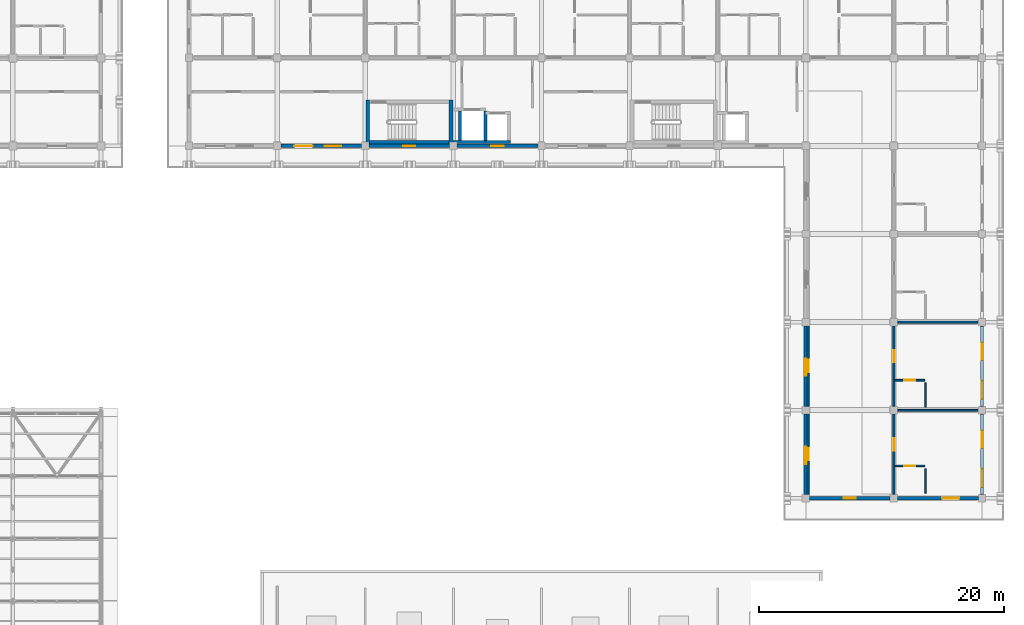
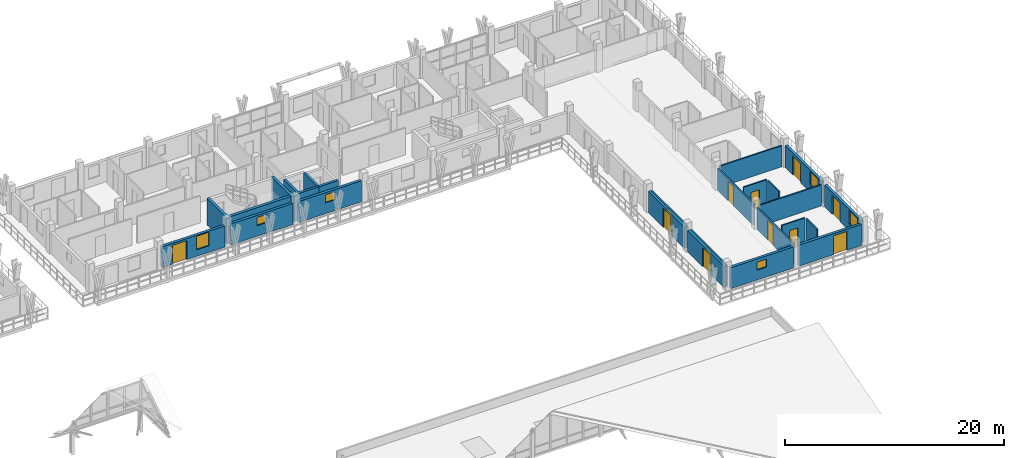
# One storey, part 133 of 157: 26 walls, 12 doors, 6 windows, 18 openings.
"""IFC4 building model written with IfcOpenShell, lengths in metres."""

from ifc_helpers import new_model, si_unit, direction, frame, frame_2d, origin, place, context, subcontext, project, spatial, rectangle, extrude, material, layer, layer_set, type_object, element, fill, save


model = new_model("IFC4")

# Units and contexts
model_context = context("Model", 3, precision=1e-05, world=origin(), true_north=direction((0.0, 1.0)))
body_context = subcontext(model_context, "Body", "Model", "MODEL_VIEW")
ifc_project = project(units=[si_unit("LENGTHUNIT", "METRE"), si_unit("AREAUNIT", "SQUARE_METRE"), si_unit("VOLUMEUNIT", "CUBIC_METRE"), si_unit("PLANEANGLEUNIT", "RADIAN"), si_unit("MASSUNIT", "GRAM", prefix="KILO")], contexts=[model_context])

# Site, building, storey
site_placement = place(None, origin())
site = spatial("IfcSite", under=ifc_project, at=site_placement, CompositionType="ELEMENT")
building_placement = place(site_placement, origin())
building = spatial("IfcBuilding", under=site, at=building_placement, Name="Suanplinth Sawtooth Commons", CompositionType="ELEMENT")
storey_placement = place(building_placement, frame((0.0, 0.0, 9.0)))
storey = spatial("IfcBuildingStorey", under=building, at=storey_placement, Name="L02", CompositionType="ELEMENT", Elevation=9.0)

# Walls
ifc_material_1 = material(Name="Concrete C40/50", Category="concrete")
ifc_layer_1 = layer(ifc_material_1, 0.300048828125, Name="Standard RC stair and lift core wall 300mm")
ifc_layer_set_1 = layer_set([ifc_layer_1], Name="Concrete C40/50")
wall_type_1 = type_object("IfcWallType", Name="W-CR02", PredefinedType="SHEAR", material=ifc_layer_set_1)
wall_1_placement = place(storey_placement, frame((137.14990234375, 108.300048828125, 0.0), z_axis=(0.0, 0.0, 1.0), x_axis=(1.0, 0.0, 0.0)))
element("IfcWall", 1, at=wall_1_placement, inside=storey, type_object=wall_type_1, Name="W-L02-C-B1-STS", PredefinedType="SHEAR", context=body_context, shape_type="SweptSolid", body=[
    extrude(rectangle(XDim=6.5, YDim=0.300048828125, at=frame_2d((3.25, 0.0))), origin(), (0.0, 0.0, 1.0), 2.9599609375),
])
for number, where, z_axis, x_axis, name in (
    (2, (137.0, 108.14990234375, 0.0), (0.0, 0.0, 1.0), (0.0, 1.0, 0.0), "W-L02-C-B1-STW"),
    (3, (143.800048828125, 108.14990234375, 0.0), (0.0, 0.0, 1.0), (0.0, 1.0, 0.0), "W-L02-C-B1-STE"),
):
    element("IfcWall", number, at=place(storey_placement, frame(where, z_axis=z_axis, x_axis=x_axis)), inside=storey, type_object=wall_type_1, Name=name, PredefinedType="SHEAR", context=body_context, shape_type="SweptSolid", body=[
        extrude(rectangle(XDim=3.60009765625, YDim=0.300048828125, at=frame_2d((1.800048828125, 0.0))), origin(), (0.0, 0.0, 1.0), 2.9599609375),
    ])

# Wall, openings, door, window
ifc_material_2 = material(Name="Precast concrete C40/50", Category="concrete")
ifc_layer_2 = layer(ifc_material_2, 0.280029296875, Name="Insulated precast architectural facade wall 280mm")
ifc_layer_set_2 = layer_set([ifc_layer_2], Name="Precast concrete C40/50")
wall_type_2 = type_object("IfcWallType", Name="W-EX01", PredefinedType="ELEMENTEDWALL", material=ifc_layer_set_2)
wall_2_placement = place(storey_placement, frame((129.89990234375, 108.0, 0.0), z_axis=(0.0, 0.0, 1.0), x_axis=(1.0, 0.0, 0.0)))
wall_2 = element("IfcWall", 4, at=wall_2_placement, inside=storey, type_object=wall_type_2, Name="Facade Wall W-L02-B-S-18-15", PredefinedType="ELEMENTEDWALL", context=body_context, shape_type="SweptSolid", body=[
    extrude(rectangle(XDim=6.60009765625, YDim=0.280029296875, at=frame_2d((3.300048828125, 0.0))), origin(), (0.0, 0.0, 1.0), 2.344970703125),
])
opening_1_placement = place(wall_2_placement, frame((1.10009765625, 0.0, 0.0)))
opening_1 = element("IfcOpeningElement", 5, at=opening_1_placement, cuts=wall_2, Name="Opening ED0158", PredefinedType="OPENING", context=body_context, shape_type="SweptSolid", body=[
    extrude(rectangle(XDim=1.5, YDim=2.1201171875, at=frame_2d((0.75, 1.06005859375))), frame((0.0, 0.15478515625, 0.0), z_axis=(0.0, -1.0, 0.0), x_axis=(1.0, 0.0, 0.0)), (0.0, 0.0, 1.0), 0.309814453125),
])
opening_2_placement = place(wall_2_placement, frame((3.60009765625, 0.0, 0.735107421875)))
opening_2 = element("IfcOpeningElement", 6, at=opening_2_placement, cuts=wall_2, Name="Opening W0272", PredefinedType="OPENING", context=body_context, shape_type="SweptSolid", body=[
    extrude(rectangle(XDim=1.35009765625, YDim=1.5, at=frame_2d((0.675048828125, 0.75))), frame((0.0, 0.15478515625, 0.0), z_axis=(0.0, -1.0, 0.0), x_axis=(1.0, 0.0, 0.0)), (0.0, 0.0, 1.0), 0.309814453125),
])
ifc_material_3 = material(Name="Anodized aluminium and low-E glass", Category="aluminium")
door_type_1 = type_object("IfcDoorType", Name="SD-03", OperationType="SLIDING_TO_LEFT", PredefinedType="DOOR", material=ifc_material_3)
door_1_placement = place(opening_1_placement, frame((1.5, 0.0, 0.0), z_axis=(0.0, 0.0, 1.0), x_axis=(-1.0, 0.0, 0.0)))
door_1 = element("IfcDoor", 7, at=door_1_placement, inside=storey, type_object=door_type_1, Name="Courtyard Balcony Door L02-B-18", OperationType="SLIDING_TO_LEFT", OverallHeight=2.1201171875, OverallWidth=1.5, PredefinedType="DOOR", context=body_context, shape_type="SweptSolid", body=[
    extrude(rectangle(XDim=1.5, YDim=2.1201171875, at=frame_2d((0.75, 1.06005859375))), frame((0.0, 0.02490234375, 0.0), z_axis=(0.0, -1.0, 0.0), x_axis=(1.0, 0.0, 0.0)), (0.0, 0.0, 1.0), 0.050048828125),
])
fill(opening_1, door_1)
ifc_material_4 = material(Name="Thermally broken aluminium and low-E double glazing", Category="aluminium")
window_type_1 = type_object("IfcWindowType", Name="WN-14", PartitioningType="SINGLE_PANEL", PredefinedType="WINDOW", material=ifc_material_4)
window_1_placement = place(opening_2_placement, origin())
window_1 = element("IfcWindow", 8, at=window_1_placement, inside=storey, type_object=window_type_1, Name="Courtyard Window L02-B-18", OverallHeight=1.5, OverallWidth=1.35009765625, PartitioningType="SINGLE_PANEL", PredefinedType="WINDOW", context=body_context, shape_type="SweptSolid", body=[
    extrude(rectangle(XDim=1.35009765625, YDim=1.5, at=frame_2d((0.675048828125, 0.75))), frame((0.0, 0.030029296875, 0.0), z_axis=(0.0, -1.0, 0.0), x_axis=(1.0, 0.0, 0.0)), (0.0, 0.0, 1.0), 0.06005859375),
])
fill(opening_2, window_1)

# Wall, opening, window
wall_3_placement = place(storey_placement, frame((137.10009765625, 108.0, 0.0), z_axis=(0.0, 0.0, 1.0), x_axis=(1.0, 0.0, 0.0)))
wall_3 = element("IfcWall", 9, at=wall_3_placement, inside=storey, type_object=wall_type_2, Name="Facade Wall W-L02-B-S-19-15", PredefinedType="ELEMENTEDWALL", context=body_context, shape_type="SweptSolid", body=[
    extrude(rectangle(XDim=6.599853515625, YDim=0.280029296875, at=frame_2d((3.2998046875, 0.0))), origin(), (0.0, 0.0, 1.0), 2.344970703125),
])
opening_3_placement = place(wall_3_placement, frame((2.800048828125, 0.0, 1.199951171875)))
opening_3 = element("IfcOpeningElement", 10, at=opening_3_placement, cuts=wall_3, Name="Opening W0274", PredefinedType="OPENING", context=body_context, shape_type="SweptSolid", body=[
    extrude(rectangle(XDim=1.0, YDim=0.89990234375, at=frame_2d((0.5, 0.449951171875))), frame((0.0, 0.15478515625, 0.0), z_axis=(0.0, -1.0, 0.0), x_axis=(1.0, 0.0, 0.0)), (0.0, 0.0, 1.0), 0.309814453125),
])
window_type_2 = type_object("IfcWindowType", Name="WN-12", PartitioningType="SINGLE_PANEL", PredefinedType="WINDOW", material=ifc_material_4)
window_2_placement = place(opening_3_placement, origin())
window_2 = element("IfcWindow", 11, at=window_2_placement, inside=storey, type_object=window_type_2, Name="Core Daylight Window L02-B-19-15", OverallHeight=0.89990234375, OverallWidth=1.0, PartitioningType="SINGLE_PANEL", PredefinedType="WINDOW", context=body_context, shape_type="SweptSolid", body=[
    extrude(rectangle(XDim=1.0, YDim=0.89990234375, at=frame_2d((0.5, 0.449951171875))), frame((0.0, 0.030029296875, 0.0), z_axis=(0.0, -1.0, 0.0), x_axis=(1.0, 0.0, 0.0)), (0.0, 0.0, 1.0), 0.06005859375),
])
fill(opening_3, window_2)

wall_4_placement = place(storey_placement, frame((144.300048828125, 108.0, 0.0), z_axis=(0.0, 0.0, 1.0), x_axis=(1.0, 0.0, 0.0)))
wall_4 = element("IfcWall", 12, at=wall_4_placement, inside=storey, type_object=wall_type_2, Name="Facade Wall W-L02-B-S-20-15", PredefinedType="ELEMENTEDWALL", context=body_context, shape_type="SweptSolid", body=[
    extrude(rectangle(XDim=6.599853515625, YDim=0.280029296875, at=frame_2d((3.2998046875, 0.0))), origin(), (0.0, 0.0, 1.0), 2.344970703125),
])
opening_4_placement = place(wall_4_placement, frame((2.800048828125, 0.0, 1.199951171875)))
opening_4 = element("IfcOpeningElement", 13, at=opening_4_placement, cuts=wall_4, Name="Opening W0276", PredefinedType="OPENING", context=body_context, shape_type="SweptSolid", body=[
    extrude(rectangle(XDim=1.0, YDim=0.89990234375, at=frame_2d((0.5, 0.449951171875))), frame((0.0, 0.15478515625, 0.0), z_axis=(0.0, -1.0, 0.0), x_axis=(1.0, 0.0, 0.0)), (0.0, 0.0, 1.0), 0.309814453125),
])
window_3_placement = place(opening_4_placement, origin())
window_3 = element("IfcWindow", 14, at=window_3_placement, inside=storey, type_object=window_type_2, Name="Core Daylight Window L02-B-20-15", OverallHeight=0.89990234375, OverallWidth=1.0, PartitioningType="SINGLE_PANEL", PredefinedType="WINDOW", context=body_context, shape_type="SweptSolid", body=[
    extrude(rectangle(XDim=1.0, YDim=0.89990234375, at=frame_2d((0.5, 0.449951171875))), frame((0.0, 0.030029296875, 0.0), z_axis=(0.0, -1.0, 0.0), x_axis=(1.0, 0.0, 0.0)), (0.0, 0.0, 1.0), 0.06005859375),
])
fill(opening_4, window_3)

wall_5_placement = place(storey_placement, frame((173.10009765625, 79.199951171875, 0.0), z_axis=(0.0, 0.0, 1.0), x_axis=(1.0, 0.0, 0.0)))
wall_5 = element("IfcWall", 15, at=wall_5_placement, inside=storey, type_object=wall_type_2, Name="Facade Wall W-L02-B-S-24-11", PredefinedType="ELEMENTEDWALL", context=body_context, shape_type="SweptSolid", body=[
    extrude(rectangle(XDim=6.599853515625, YDim=0.280029296875, at=frame_2d((3.2998046875, 0.0))), origin(), (0.0, 0.0, 1.0), 2.344970703125),
])
opening_5_placement = place(wall_5_placement, frame((2.800048828125, 0.0, 1.10009765625)))
opening_5 = element("IfcOpeningElement", 16, at=opening_5_placement, cuts=wall_5, Name="Opening W0282", PredefinedType="OPENING", context=body_context, shape_type="SweptSolid", body=[
    extrude(rectangle(XDim=1.0, YDim=0.89990234375, at=frame_2d((0.5, 0.449951171875))), frame((0.0, 0.15478515625, 0.0), z_axis=(0.0, -1.0, 0.0), x_axis=(1.0, 0.0, 0.0)), (0.0, 0.0, 1.0), 0.309814453125),
])
window_4_placement = place(opening_5_placement, origin())
window_4 = element("IfcWindow", 17, at=window_4_placement, inside=storey, type_object=window_type_2, Name="End Window L02-B-S-24-11", OverallHeight=0.89990234375, OverallWidth=1.0, PartitioningType="SINGLE_PANEL", PredefinedType="WINDOW", context=body_context, shape_type="SweptSolid", body=[
    extrude(rectangle(XDim=1.0, YDim=0.89990234375, at=frame_2d((0.5, 0.449951171875))), frame((0.0, 0.030029296875, 0.0), z_axis=(0.0, -1.0, 0.0), x_axis=(1.0, 0.0, 0.0)), (0.0, 0.0, 1.0), 0.06005859375),
])
fill(opening_5, window_4)

# Wall, opening, door
wall_6_placement = place(storey_placement, frame((172.800048828125, 79.5, 0.0), z_axis=(0.0, 0.0, 1.0), x_axis=(0.0, 1.0, 0.0)))
wall_6 = element("IfcWall", 18, at=wall_6_placement, inside=storey, type_object=wall_type_2, Name="Facade Wall W-L02-B-W-24-11", PredefinedType="ELEMENTEDWALL", context=body_context, shape_type="SweptSolid", body=[
    extrude(rectangle(XDim=6.60009765625, YDim=0.280029296875, at=frame_2d((3.300048828125, 0.0))), origin(), (0.0, 0.0, 1.0), 2.39501953125),
])
opening_6_placement = place(wall_6_placement, frame((2.5, 0.0, 0.0)))
opening_6 = element("IfcOpeningElement", 19, at=opening_6_placement, cuts=wall_6, Name="Opening ED0164", PredefinedType="OPENING", context=body_context, shape_type="SweptSolid", body=[
    extrude(rectangle(XDim=1.39990234375, YDim=2.10009765625, at=frame_2d((0.699951171875, 1.050048828125))), frame((0.0, 0.15478515625, 0.0), z_axis=(0.0, -1.0, 0.0), x_axis=(1.0, 0.0, 0.0)), (0.0, 0.0, 1.0), 0.309814453125),
])
door_type_2 = type_object("IfcDoorType", Name="SD-07", OperationType="SLIDING_TO_RIGHT", PredefinedType="DOOR", material=ifc_material_3)
door_2_placement = place(opening_6_placement, frame((1.39990234375, 0.0, 0.0), z_axis=(0.0, 0.0, 1.0), x_axis=(-1.0, 0.0, 0.0)))
door_2 = element("IfcDoor", 20, at=door_2_placement, inside=storey, type_object=door_type_2, Name="Courtyard Veranda Studio Balcony Door L02-B-11", OperationType="SLIDING_TO_RIGHT", OverallHeight=2.10009765625, OverallWidth=1.39990234375, PredefinedType="DOOR", context=body_context, shape_type="SweptSolid", body=[
    extrude(rectangle(XDim=1.39990234375, YDim=2.10009765625, at=frame_2d((0.699951171875, 1.050048828125))), frame((0.0, 0.02490234375, 0.0), z_axis=(0.0, -1.0, 0.0), x_axis=(1.0, 0.0, 0.0)), (0.0, 0.0, 1.0), 0.050048828125),
])
fill(opening_6, door_2)

wall_7_placement = place(storey_placement, frame((172.800048828125, 86.699951171875, 0.0), z_axis=(0.0, 0.0, 1.0), x_axis=(0.0, 1.0, 0.0)))
wall_7 = element("IfcWall", 21, at=wall_7_placement, inside=storey, type_object=wall_type_2, Name="Facade Wall W-L02-B-W-24-12", PredefinedType="ELEMENTEDWALL", context=body_context, shape_type="SweptSolid", body=[
    extrude(rectangle(XDim=6.60009765625, YDim=0.280029296875, at=frame_2d((3.300048828125, 0.0))), origin(), (0.0, 0.0, 1.0), 2.39501953125),
])
opening_7_placement = place(wall_7_placement, frame((2.5, 0.0, 0.0)))
opening_7 = element("IfcOpeningElement", 22, at=opening_7_placement, cuts=wall_7, Name="Opening ED0165", PredefinedType="OPENING", context=body_context, shape_type="SweptSolid", body=[
    extrude(rectangle(XDim=1.39990234375, YDim=2.10009765625, at=frame_2d((0.699951171875, 1.050048828125))), frame((0.0, 0.15478515625, 0.0), z_axis=(0.0, -1.0, 0.0), x_axis=(1.0, 0.0, 0.0)), (0.0, 0.0, 1.0), 0.309814453125),
])
door_3_placement = place(opening_7_placement, frame((1.39990234375, 0.0, 0.0), z_axis=(0.0, 0.0, 1.0), x_axis=(-1.0, 0.0, 0.0)))
door_3 = element("IfcDoor", 23, at=door_3_placement, inside=storey, type_object=door_type_2, Name="Courtyard Veranda Studio Balcony Door L02-B-12", OperationType="SLIDING_TO_RIGHT", OverallHeight=2.10009765625, OverallWidth=1.39990234375, PredefinedType="DOOR", context=body_context, shape_type="SweptSolid", body=[
    extrude(rectangle(XDim=1.39990234375, YDim=2.10009765625, at=frame_2d((0.699951171875, 1.050048828125))), frame((0.0, 0.02490234375, 0.0), z_axis=(0.0, -1.0, 0.0), x_axis=(1.0, 0.0, 0.0)), (0.0, 0.0, 1.0), 0.050048828125),
])
fill(opening_7, door_3)

wall_8_placement = place(storey_placement, frame((180.300048828125, 79.199951171875, 0.0), z_axis=(0.0, 0.0, 1.0), x_axis=(1.0, 0.0, 0.0)))
wall_8 = element("IfcWall", 24, at=wall_8_placement, inside=storey, type_object=wall_type_2, Name="Facade Wall W-L02-B-S-25-11", PredefinedType="ELEMENTEDWALL", context=body_context, shape_type="SweptSolid", body=[
    extrude(rectangle(XDim=6.599853515625, YDim=0.280029296875, at=frame_2d((3.2998046875, 0.0))), origin(), (0.0, 0.0, 1.0), 2.344970703125),
])
opening_8_placement = place(wall_8_placement, frame((3.64990234375, 0.0, 0.0)))
opening_8 = element("IfcOpeningElement", 25, at=opening_8_placement, cuts=wall_8, Name="Opening ED0169", PredefinedType="OPENING", context=body_context, shape_type="SweptSolid", body=[
    extrude(rectangle(XDim=1.39990234375, YDim=2.10009765625, at=frame_2d((0.699951171875, 1.050048828125))), frame((0.0, 0.15478515625, 0.0), z_axis=(0.0, -1.0, 0.0), x_axis=(1.0, 0.0, 0.0)), (0.0, 0.0, 1.0), 0.309814453125),
])
door_4_placement = place(opening_8_placement, frame((1.39990234375, 0.0, 0.0), z_axis=(0.0, 0.0, 1.0), x_axis=(-1.0, 0.0, 0.0)))
door_4 = element("IfcDoor", 26, at=door_4_placement, inside=storey, type_object=door_type_2, Name="End Balcony Sliding Door L02-B-S-25-11", OperationType="SLIDING_TO_RIGHT", OverallHeight=2.10009765625, OverallWidth=1.39990234375, PredefinedType="DOOR", context=body_context, shape_type="SweptSolid", body=[
    extrude(rectangle(XDim=1.39990234375, YDim=2.10009765625, at=frame_2d((0.699951171875, 1.050048828125))), frame((0.0, 0.02490234375, 0.0), z_axis=(0.0, -1.0, 0.0), x_axis=(1.0, 0.0, 0.0)), (0.0, 0.0, 1.0), 0.050048828125),
])
fill(opening_8, door_4)

# Wall, openings, door, window
wall_9_placement = place(storey_placement, frame((187.199951171875, 79.5, 0.0), z_axis=(0.0, 0.0, 1.0), x_axis=(0.0, 1.0, 0.0)))
wall_9 = element("IfcWall", 27, at=wall_9_placement, inside=storey, type_object=wall_type_2, Name="Facade Wall W-L02-B-E-25-11", PredefinedType="ELEMENTEDWALL", context=body_context, shape_type="SweptSolid", body=[
    extrude(rectangle(XDim=6.60009765625, YDim=0.280029296875, at=frame_2d((3.300048828125, 0.0))), origin(), (0.0, 0.0, 1.0), 2.425048828125),
])
opening_9_placement = place(wall_9_placement, frame((3.800048828125, 0.0, 0.0)))
opening_9 = element("IfcOpeningElement", 28, at=opening_9_placement, cuts=wall_9, Name="Opening ED0170", PredefinedType="OPENING", context=body_context, shape_type="SweptSolid", body=[
    extrude(rectangle(XDim=1.39990234375, YDim=2.10009765625, at=frame_2d((0.699951171875, 1.050048828125))), frame((0.0, 0.15478515625, 0.0), z_axis=(0.0, -1.0, 0.0), x_axis=(1.0, 0.0, 0.0)), (0.0, 0.0, 1.0), 0.309814453125),
])
opening_10_placement = place(wall_9_placement, frame((0.60009765625, 0.0, 0.81494140625)))
opening_10 = element("IfcOpeningElement", 29, at=opening_10_placement, cuts=wall_9, Name="Opening W0284", PredefinedType="OPENING", context=body_context, shape_type="SweptSolid", body=[
    extrude(rectangle(XDim=1.5, YDim=1.5, at=frame_2d((0.75, 0.75))), frame((0.0, 0.15478515625, 0.0), z_axis=(0.0, -1.0, 0.0), x_axis=(1.0, 0.0, 0.0)), (0.0, 0.0, 1.0), 0.309814453125),
])
door_5_placement = place(opening_9_placement, frame((1.39990234375, 0.0, 0.0), z_axis=(0.0, 0.0, 1.0), x_axis=(-1.0, 0.0, 0.0)))
door_5 = element("IfcDoor", 30, at=door_5_placement, inside=storey, type_object=door_type_2, Name="Wing Balcony Sliding Door L02-B-11", OperationType="SLIDING_TO_RIGHT", OverallHeight=2.10009765625, OverallWidth=1.39990234375, PredefinedType="DOOR", context=body_context, shape_type="SweptSolid", body=[
    extrude(rectangle(XDim=1.39990234375, YDim=2.10009765625, at=frame_2d((0.699951171875, 1.050048828125))), frame((0.0, 0.02490234375, 0.0), z_axis=(0.0, -1.0, 0.0), x_axis=(1.0, 0.0, 0.0)), (0.0, 0.0, 1.0), 0.050048828125),
])
fill(opening_9, door_5)
window_type_3 = type_object("IfcWindowType", Name="WN-02", PartitioningType="DOUBLE_PANEL_VERTICAL", PredefinedType="WINDOW", material=ifc_material_4)
window_5_placement = place(opening_10_placement, origin())
window_5 = element("IfcWindow", 31, at=window_5_placement, inside=storey, type_object=window_type_3, Name="Wing Window L02-B-11", OverallHeight=1.5, OverallWidth=1.5, PartitioningType="DOUBLE_PANEL_VERTICAL", PredefinedType="WINDOW", context=body_context, shape_type="SweptSolid", body=[
    extrude(rectangle(XDim=1.5, YDim=1.5, at=frame_2d((0.75, 0.75))), frame((0.0, 0.030029296875, 0.0), z_axis=(0.0, -1.0, 0.0), x_axis=(1.0, 0.0, 0.0)), (0.0, 0.0, 1.0), 0.06005859375),
])
fill(opening_10, window_5)

wall_10_placement = place(storey_placement, frame((187.199951171875, 86.699951171875, 0.0), z_axis=(0.0, 0.0, 1.0), x_axis=(0.0, 1.0, 0.0)))
wall_10 = element("IfcWall", 32, at=wall_10_placement, inside=storey, type_object=wall_type_2, Name="Facade Wall W-L02-B-E-25-12", PredefinedType="ELEMENTEDWALL", context=body_context, shape_type="SweptSolid", body=[
    extrude(rectangle(XDim=6.60009765625, YDim=0.280029296875, at=frame_2d((3.300048828125, 0.0))), origin(), (0.0, 0.0, 1.0), 2.425048828125),
])
opening_11_placement = place(wall_10_placement, frame((3.800048828125, 0.0, 0.0)))
opening_11 = element("IfcOpeningElement", 33, at=opening_11_placement, cuts=wall_10, Name="Opening ED0171", PredefinedType="OPENING", context=body_context, shape_type="SweptSolid", body=[
    extrude(rectangle(XDim=1.39990234375, YDim=2.10009765625, at=frame_2d((0.699951171875, 1.050048828125))), frame((0.0, 0.15478515625, 0.0), z_axis=(0.0, -1.0, 0.0), x_axis=(1.0, 0.0, 0.0)), (0.0, 0.0, 1.0), 0.309814453125),
])
opening_12_placement = place(wall_10_placement, frame((0.60009765625, 0.0, 0.81494140625)))
opening_12 = element("IfcOpeningElement", 34, at=opening_12_placement, cuts=wall_10, Name="Opening W0285", PredefinedType="OPENING", context=body_context, shape_type="SweptSolid", body=[
    extrude(rectangle(XDim=1.5, YDim=1.5, at=frame_2d((0.75, 0.75))), frame((0.0, 0.15478515625, 0.0), z_axis=(0.0, -1.0, 0.0), x_axis=(1.0, 0.0, 0.0)), (0.0, 0.0, 1.0), 0.309814453125),
])
door_6_placement = place(opening_11_placement, frame((1.39990234375, 0.0, 0.0), z_axis=(0.0, 0.0, 1.0), x_axis=(-1.0, 0.0, 0.0)))
door_6 = element("IfcDoor", 35, at=door_6_placement, inside=storey, type_object=door_type_2, Name="Wing Balcony Sliding Door L02-B-12", OperationType="SLIDING_TO_RIGHT", OverallHeight=2.10009765625, OverallWidth=1.39990234375, PredefinedType="DOOR", context=body_context, shape_type="SweptSolid", body=[
    extrude(rectangle(XDim=1.39990234375, YDim=2.10009765625, at=frame_2d((0.699951171875, 1.050048828125))), frame((0.0, 0.02490234375, 0.0), z_axis=(0.0, -1.0, 0.0), x_axis=(1.0, 0.0, 0.0)), (0.0, 0.0, 1.0), 0.050048828125),
])
fill(opening_11, door_6)
window_6_placement = place(opening_12_placement, origin())
window_6 = element("IfcWindow", 36, at=window_6_placement, inside=storey, type_object=window_type_3, Name="Wing Window L02-B-12", OverallHeight=1.5, OverallWidth=1.5, PartitioningType="DOUBLE_PANEL_VERTICAL", PredefinedType="WINDOW", context=body_context, shape_type="SweptSolid", body=[
    extrude(rectangle(XDim=1.5, YDim=1.5, at=frame_2d((0.75, 0.75))), frame((0.0, 0.030029296875, 0.0), z_axis=(0.0, -1.0, 0.0), x_axis=(1.0, 0.0, 0.0)), (0.0, 0.0, 1.0), 0.06005859375),
])
fill(opening_12, window_6)

# Wall, opening, door
ifc_layer_3 = layer(ifc_material_2, 0.159912109375, Name="Fire-rated corridor and lobby wall 160mm")
ifc_layer_set_3 = layer_set([ifc_layer_3], Name="Precast concrete C40/50")
wall_type_3 = type_object("IfcWallType", Name="W-FW01", PredefinedType="PARTITIONING", material=ifc_layer_set_3)
wall_11_placement = place(storey_placement, frame((180.0, 79.530029296875, 0.0), z_axis=(0.0, 0.0, 1.0), x_axis=(0.0, 1.0, 0.0)))
wall_11 = element("IfcWall", 37, at=wall_11_placement, inside=storey, type_object=wall_type_3, Name="W-B-L02-L01-COR", PredefinedType="PARTITIONING", context=body_context, shape_type="SweptSolid", body=[
    extrude(rectangle(XDim=6.5400390625, YDim=0.159912109375, at=frame_2d((3.27001953125, 0.0))), origin(), (0.0, 0.0, 1.0), 2.39501953125),
])
opening_13_placement = place(wall_11_placement, frame((3.570068359375, 0.0, 0.0)))
opening_13 = element("IfcOpeningElement", 38, at=opening_13_placement, cuts=wall_11, Name="Opening FD0775", PredefinedType="OPENING", context=body_context, shape_type="SweptSolid", body=[
    extrude(rectangle(XDim=1.0, YDim=2.14990234375, at=frame_2d((0.5, 1.074951171875))), frame((0.0, 0.0947265625, 0.0), z_axis=(0.0, -1.0, 0.0), x_axis=(1.0, 0.0, 0.0)), (0.0, 0.0, 1.0), 0.189697265625),
])
ifc_material_5 = material(Name="Teak hardwood fire-rated door assembly", Category="wood")
door_type_3 = type_object("IfcDoorType", Name="FD-03", OperationType="NOTDEFINED", PredefinedType="DOOR", material=ifc_material_5)
door_7_placement = place(opening_13_placement, frame((1.0, 0.0, 0.0), z_axis=(0.0, 0.0, 1.0), x_axis=(-1.0, 0.0, 0.0)))
door_7 = element("IfcDoor", 39, at=door_7_placement, inside=storey, type_object=door_type_3, Name="Wing Unit Entrance Door FD0775", OperationType="SINGLE_SWING_LEFT", OverallHeight=2.14990234375, OverallWidth=1.0, PredefinedType="DOOR", context=body_context, shape_type="SweptSolid", body=[
    extrude(rectangle(XDim=1.0, YDim=2.14990234375, at=frame_2d((0.5, 1.074951171875))), frame((0.0, 0.02490234375, 0.0), z_axis=(0.0, -1.0, 0.0), x_axis=(1.0, 0.0, 0.0)), (0.0, 0.0, 1.0), 0.050048828125),
])
fill(opening_13, door_7)

wall_12_placement = place(storey_placement, frame((173.0, 79.530029296875, 0.0), z_axis=(0.0, 0.0, 1.0), x_axis=(0.0, 1.0, 0.0)))
wall_12 = element("IfcWall", 40, at=wall_12_placement, inside=storey, type_object=wall_type_3, Name="W-B-L02-LEGCOURTROOM-35-COR", PredefinedType="PARTITIONING", context=body_context, shape_type="SweptSolid", body=[
    extrude(rectangle(XDim=6.5400390625, YDim=0.159912109375, at=frame_2d((3.27001953125, 0.0))), origin(), (0.0, 0.0, 1.0), 2.39501953125),
])
opening_14_placement = place(wall_12_placement, frame((2.760009765625, 0.0, 0.0)))
opening_14 = element("IfcOpeningElement", 41, at=opening_14_placement, cuts=wall_12, Name="Opening D0777", PredefinedType="OPENING", context=body_context, shape_type="SweptSolid", body=[
    extrude(rectangle(XDim=1.02001953125, YDim=2.179931640625, at=frame_2d((0.510009765625, 1.08984375))), frame((0.0, 0.0947265625, 0.0), z_axis=(0.0, -1.0, 0.0), x_axis=(1.0, 0.0, 0.0)), (0.0, 0.0, 1.0), 0.189697265625),
])
ifc_material_6 = material(Name="Teak hardwood", Category="wood")
door_type_4 = type_object("IfcDoorType", Name="D-16", OperationType="NOTDEFINED", PredefinedType="DOOR", material=ifc_material_6)
door_8_placement = place(opening_14_placement, origin())
door_8 = element("IfcDoor", 42, at=door_8_placement, inside=storey, type_object=door_type_4, Name="Veranda Studio Door D0777", OperationType="SINGLE_SWING_LEFT", OverallHeight=2.179931640625, OverallWidth=1.02001953125, PredefinedType="DOOR", context=body_context, shape_type="SweptSolid", body=[
    extrude(rectangle(XDim=1.02001953125, YDim=2.179931640625, at=frame_2d((0.510009765625, 1.08984375))), frame((0.0, 0.02490234375, 0.0), z_axis=(0.0, -1.0, 0.0), x_axis=(1.0, 0.0, 0.0)), (0.0, 0.0, 1.0), 0.050048828125),
])
fill(opening_14, door_8)

wall_13_placement = place(storey_placement, frame((180.0, 86.72998046875, 0.0), z_axis=(0.0, 0.0, 1.0), x_axis=(0.0, 1.0, 0.0)))
wall_13 = element("IfcWall", 43, at=wall_13_placement, inside=storey, type_object=wall_type_3, Name="W-B-L02-L02-COR", PredefinedType="PARTITIONING", context=body_context, shape_type="SweptSolid", body=[
    extrude(rectangle(XDim=6.5400390625, YDim=0.159912109375, at=frame_2d((3.27001953125, 0.0))), origin(), (0.0, 0.0, 1.0), 2.39501953125),
])
opening_15_placement = place(wall_13_placement, frame((3.570068359375, 0.0, 0.0)))
opening_15 = element("IfcOpeningElement", 44, at=opening_15_placement, cuts=wall_13, Name="Opening FD0778", PredefinedType="OPENING", context=body_context, shape_type="SweptSolid", body=[
    extrude(rectangle(XDim=1.0, YDim=2.14990234375, at=frame_2d((0.5, 1.074951171875))), frame((0.0, 0.0947265625, 0.0), z_axis=(0.0, -1.0, 0.0), x_axis=(1.0, 0.0, 0.0)), (0.0, 0.0, 1.0), 0.189697265625),
])
door_9_placement = place(opening_15_placement, frame((1.0, 0.0, 0.0), z_axis=(0.0, 0.0, 1.0), x_axis=(-1.0, 0.0, 0.0)))
door_9 = element("IfcDoor", 45, at=door_9_placement, inside=storey, type_object=door_type_3, Name="Wing Unit Entrance Door FD0778", OperationType="SINGLE_SWING_RIGHT", OverallHeight=2.14990234375, OverallWidth=1.0, PredefinedType="DOOR", context=body_context, shape_type="SweptSolid", body=[
    extrude(rectangle(XDim=1.0, YDim=2.14990234375, at=frame_2d((0.5, 1.074951171875))), frame((0.0, 0.02490234375, 0.0), z_axis=(0.0, -1.0, 0.0), x_axis=(1.0, 0.0, 0.0)), (0.0, 0.0, 1.0), 0.050048828125),
])
fill(opening_15, door_9)

wall_14_placement = place(storey_placement, frame((173.0, 86.72998046875, 0.0), z_axis=(0.0, 0.0, 1.0), x_axis=(0.0, 1.0, 0.0)))
wall_14 = element("IfcWall", 46, at=wall_14_placement, inside=storey, type_object=wall_type_3, Name="W-B-L02-LEGCOURTROOM-37-COR", PredefinedType="PARTITIONING", context=body_context, shape_type="SweptSolid", body=[
    extrude(rectangle(XDim=6.5400390625, YDim=0.159912109375, at=frame_2d((3.27001953125, 0.0))), origin(), (0.0, 0.0, 1.0), 2.39501953125),
])
opening_16_placement = place(wall_14_placement, frame((2.760009765625, 0.0, 0.0)))
opening_16 = element("IfcOpeningElement", 47, at=opening_16_placement, cuts=wall_14, Name="Opening D0780", PredefinedType="OPENING", context=body_context, shape_type="SweptSolid", body=[
    extrude(rectangle(XDim=1.02001953125, YDim=2.179931640625, at=frame_2d((0.510009765625, 1.08984375))), frame((0.0, 0.0947265625, 0.0), z_axis=(0.0, -1.0, 0.0), x_axis=(1.0, 0.0, 0.0)), (0.0, 0.0, 1.0), 0.189697265625),
])
door_10_placement = place(opening_16_placement, origin())
door_10 = element("IfcDoor", 48, at=door_10_placement, inside=storey, type_object=door_type_4, Name="Veranda Studio Door D0780", OperationType="SINGLE_SWING_RIGHT", OverallHeight=2.179931640625, OverallWidth=1.02001953125, PredefinedType="DOOR", context=body_context, shape_type="SweptSolid", body=[
    extrude(rectangle(XDim=1.02001953125, YDim=2.179931640625, at=frame_2d((0.510009765625, 1.08984375))), frame((0.0, 0.02490234375, 0.0), z_axis=(0.0, -1.0, 0.0), x_axis=(1.0, 0.0, 0.0)), (0.0, 0.0, 1.0), 0.050048828125),
])
fill(opening_16, door_10)

# Walls
ifc_layer_4 = layer(ifc_material_2, 0.14990234375, Name="Acoustic precast party demising wall 150mm")
ifc_layer_set_4 = layer_set([ifc_layer_4], Name="Precast concrete C40/50")
wall_type_4 = type_object("IfcWallType", Name="W-FW02", PredefinedType="PARTITIONING", material=ifc_layer_set_4)
for number, where, z_axis, x_axis, name in (
    (49, (180.330078125, 86.39990234375, 0.0), (0.0, 0.0, 1.0), (1.0, 0.0, 0.0), "W-B-L02-L01-PTY"),
    (50, (180.330078125, 93.60009765625, 0.0), (0.0, 0.0, 1.0), (1.0, 0.0, 0.0), "W-B-L02-L02-PTY"),
):
    element("IfcWall", number, at=place(storey_placement, frame(where, z_axis=z_axis, x_axis=x_axis)), inside=storey, type_object=wall_type_4, Name=name, PredefinedType="PARTITIONING", context=body_context, shape_type="SweptSolid", body=[
        extrude(rectangle(XDim=6.5400390625, YDim=0.14990234375, at=frame_2d((3.27001953125, 0.0))), origin(), (0.0, 0.0, 1.0), 2.344970703125),
    ])

# Wall, opening, door
ifc_material_7 = material(Name="Gypsum plasterboard on steel stud", Category="steel")
ifc_layer_5 = layer(ifc_material_7, 0.1298828125, Name="Moisture-resistant bathroom partition 130mm")
ifc_layer_set_5 = layer_set([ifc_layer_5], Name="Gypsum plasterboard on steel stud")
wall_type_5 = type_object("IfcWallType", Name="W-PT02", PredefinedType="PARTITIONING", material=ifc_layer_set_5)
wall_15_placement = place(storey_placement, frame((180.080078125, 81.844970703125, 0.0), z_axis=(0.0, 0.0, 1.0), x_axis=(1.0, 0.0, 0.0)))
wall_15 = element("IfcWall", 51, at=wall_15_placement, inside=storey, type_object=wall_type_5, Name="W-B-L02-L01-BTH1", PredefinedType="PARTITIONING", context=body_context, shape_type="SweptSolid", body=[
    extrude(rectangle(XDim=2.449951171875, YDim=0.1298828125, at=frame_2d((1.22509765625, 0.0))), origin(), (0.0, 0.0, 1.0), 2.9599609375),
])
opening_17_placement = place(wall_15_placement, frame((0.77490234375, 0.0, 0.0)))
opening_17 = element("IfcOpeningElement", 52, at=opening_17_placement, cuts=wall_15, Name="Opening D0776", PredefinedType="OPENING", context=body_context, shape_type="SweptSolid", body=[
    extrude(rectangle(XDim=0.89990234375, YDim=2.10009765625, at=frame_2d((0.449951171875, 1.050048828125))), frame((0.0, 0.079833984375, 0.0), z_axis=(0.0, -1.0, 0.0), x_axis=(1.0, 0.0, 0.0)), (0.0, 0.0, 1.0), 0.15966796875),
])
door_type_5 = type_object("IfcDoorType", Name="D-01", OperationType="NOTDEFINED", PredefinedType="DOOR", material=ifc_material_6)
door_11_placement = place(opening_17_placement, frame((0.89990234375, 0.0, 0.0), z_axis=(0.0, 0.0, 1.0), x_axis=(-1.0, 0.0, 0.0)))
door_11 = element("IfcDoor", 53, at=door_11_placement, inside=storey, type_object=door_type_5, Name="Bathroom Door D0776", OperationType="SINGLE_SWING_RIGHT", OverallHeight=2.10009765625, OverallWidth=0.89990234375, PredefinedType="DOOR", context=body_context, shape_type="SweptSolid", body=[
    extrude(rectangle(XDim=0.89990234375, YDim=2.10009765625, at=frame_2d((0.449951171875, 1.050048828125))), frame((0.0, 0.02490234375, 0.0), z_axis=(0.0, -1.0, 0.0), x_axis=(1.0, 0.0, 0.0)), (0.0, 0.0, 1.0), 0.050048828125),
])
fill(opening_17, door_11)

# Wall
wall_16_placement = place(storey_placement, frame((182.594970703125, 79.6298828125, 0.0), z_axis=(0.0, 0.0, 1.0), x_axis=(0.0, 1.0, 0.0)))
element("IfcWall", 54, at=wall_16_placement, inside=storey, type_object=wall_type_5, Name="W-B-L02-L01-BTH2", PredefinedType="PARTITIONING", context=body_context, shape_type="SweptSolid", body=[
    extrude(rectangle(XDim=2.0, YDim=0.1298828125, at=frame_2d((1.0, 0.0))), origin(), (0.0, 0.0, 1.0), 2.9599609375),
])

# Wall, opening, door
wall_17_placement = place(storey_placement, frame((180.080078125, 88.844970703125, 0.0), z_axis=(0.0, 0.0, 1.0), x_axis=(1.0, 0.0, 0.0)))
wall_17 = element("IfcWall", 55, at=wall_17_placement, inside=storey, type_object=wall_type_5, Name="W-B-L02-L02-BTH1", PredefinedType="PARTITIONING", context=body_context, shape_type="SweptSolid", body=[
    extrude(rectangle(XDim=2.449951171875, YDim=0.1298828125, at=frame_2d((1.22509765625, 0.0))), origin(), (0.0, 0.0, 1.0), 2.9599609375),
])
opening_18_placement = place(wall_17_placement, frame((0.77490234375, 0.0, 0.0)))
opening_18 = element("IfcOpeningElement", 56, at=opening_18_placement, cuts=wall_17, Name="Opening D0779", PredefinedType="OPENING", context=body_context, shape_type="SweptSolid", body=[
    extrude(rectangle(XDim=0.89990234375, YDim=2.10009765625, at=frame_2d((0.449951171875, 1.050048828125))), frame((0.0, 0.079833984375, 0.0), z_axis=(0.0, -1.0, 0.0), x_axis=(1.0, 0.0, 0.0)), (0.0, 0.0, 1.0), 0.15966796875),
])
door_12_placement = place(opening_18_placement, frame((0.89990234375, 0.0, 0.0), z_axis=(0.0, 0.0, 1.0), x_axis=(-1.0, 0.0, 0.0)))
door_12 = element("IfcDoor", 57, at=door_12_placement, inside=storey, type_object=door_type_5, Name="Bathroom Door D0779", OperationType="SINGLE_SWING_LEFT", OverallHeight=2.10009765625, OverallWidth=0.89990234375, PredefinedType="DOOR", context=body_context, shape_type="SweptSolid", body=[
    extrude(rectangle(XDim=0.89990234375, YDim=2.10009765625, at=frame_2d((0.449951171875, 1.050048828125))), frame((0.0, 0.02490234375, 0.0), z_axis=(0.0, -1.0, 0.0), x_axis=(1.0, 0.0, 0.0)), (0.0, 0.0, 1.0), 0.050048828125),
])
fill(opening_18, door_12)

# Walls
wall_18_placement = place(storey_placement, frame((182.594970703125, 86.6298828125, 0.0), z_axis=(0.0, 0.0, 1.0), x_axis=(0.0, 1.0, 0.0)))
element("IfcWall", 58, at=wall_18_placement, inside=storey, type_object=wall_type_5, Name="W-B-L02-L02-BTH2", PredefinedType="PARTITIONING", context=body_context, shape_type="SweptSolid", body=[
    extrude(rectangle(XDim=2.0, YDim=0.1298828125, at=frame_2d((1.0, 0.0))), origin(), (0.0, 0.0, 1.0), 2.9599609375),
])
ifc_layer_6 = layer(ifc_material_2, 0.25, Name="Precast structural shear wall 250mm")
ifc_layer_set_6 = layer_set([ifc_layer_6], Name="Precast concrete C40/50")
wall_type_6 = type_object("IfcWallType", Name="W-SH01", PredefinedType="SHEAR", material=ifc_layer_set_6)
wall_19_placement = place(storey_placement, frame((143.949951171875, 108.324951171875, 0.0), z_axis=(0.0, 0.0, 1.0), x_axis=(1.0, 0.0, 0.0)))
element("IfcWall", 59, at=wall_19_placement, inside=storey, type_object=wall_type_6, Name="W-L02-FL2-S", PredefinedType="SHEAR", context=body_context, shape_type="SweptSolid", body=[
    extrude(rectangle(XDim=2.675048828125, YDim=0.25, at=frame_2d((1.33740234375, 0.0))), origin(), (0.0, 0.0, 1.0), 2.9599609375),
])
for number, where, z_axis, x_axis, name in (
    (60, (144.52490234375, 108.449951171875, 0.0), (0.0, 0.0, 1.0), (0.0, 1.0, 0.0), "W-L02-FL2-W"),
    (61, (146.625, 108.449951171875, 0.0), (0.0, 0.0, 1.0), (0.0, 1.0, 0.0), "W-L02-FL2-DIV"),
):
    element("IfcWall", number, at=place(storey_placement, frame(where, z_axis=z_axis, x_axis=x_axis)), inside=storey, type_object=wall_type_6, Name=name, PredefinedType="SHEAR", context=body_context, shape_type="SweptSolid", body=[
        extrude(rectangle(XDim=2.400146484375, YDim=0.25, at=frame_2d((1.2001953125, 0.0))), origin(), (0.0, 0.0, 1.0), 2.9599609375),
    ])
wall_20_placement = place(storey_placement, frame((146.625, 108.324951171875, 0.0), z_axis=(0.0, 0.0, 1.0), x_axis=(1.0, 0.0, 0.0)))
element("IfcWall", 62, at=wall_20_placement, inside=storey, type_object=wall_type_6, Name="W-L02-LF3-S", PredefinedType="SHEAR", context=body_context, shape_type="SweptSolid", body=[
    extrude(rectangle(XDim=2.02490234375, YDim=0.25, at=frame_2d((1.012451171875, 0.0))), origin(), (0.0, 0.0, 1.0), 2.9599609375),
])

save(model, "model.ifc")
